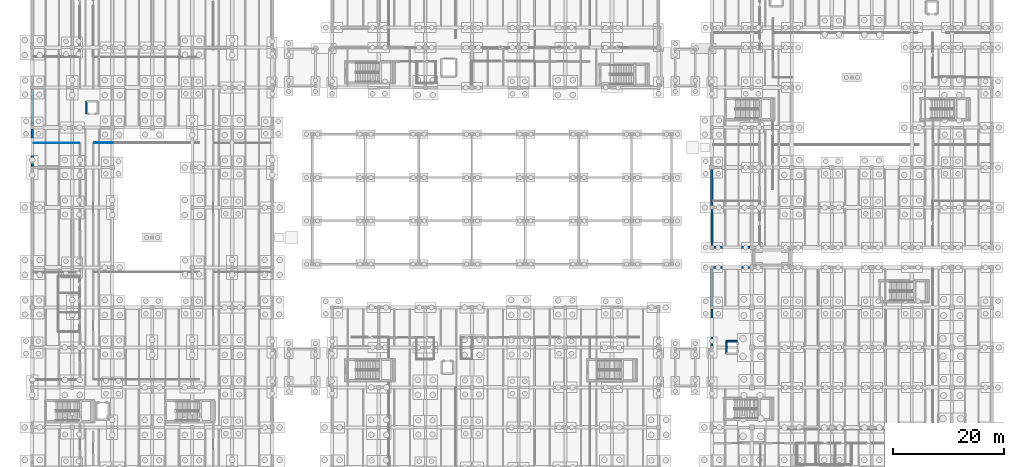
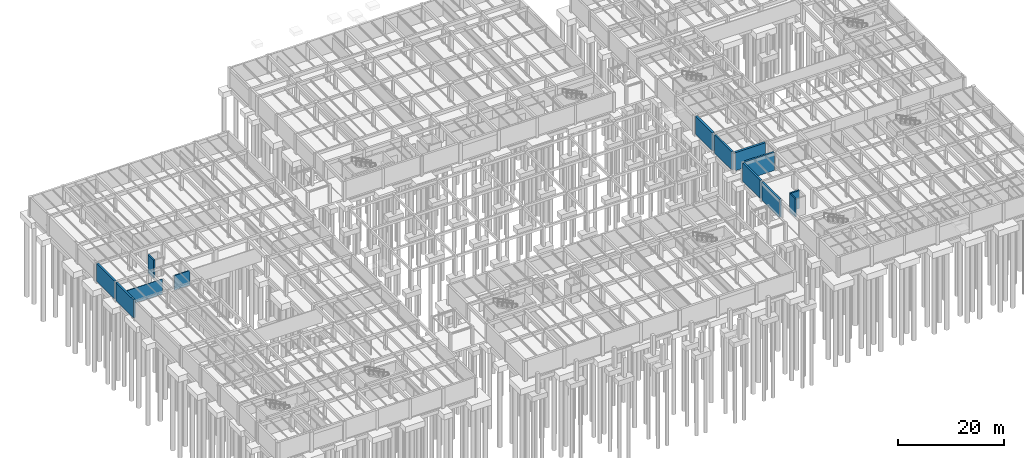
# One storey, part 43 of 63: 13 walls.
"""IFC4 building model written with IfcOpenShell, lengths in metres."""

import ifcopenshell
import ifcopenshell.guid

model = None  # the IFC model being written
_history = None  # IfcOwnerHistory: only IFC2X3 demands one
_inside = {}  # id of a spatial element -> (the spatial element, [elements in it])
_under = {}  # id of a project, library or spatial element -> (it, [spatial elements below it])
_declared = {}  # id of a project -> (the project, [libraries it declares])
_typed = {}  # id of a type object -> (the type object, [elements of that type])
_made_of = {}  # id of a material, layer set ... -> (it, [elements and type objects made of it])


def new_model(schema):
    """Start an empty IFC model of exactly this schema.

    Asked for "IFC4X3", IfcOpenShell would pick the latest addendum, in which some entities
    have other attributes; the version numbers below select the first issue.
    IFC2X3 requires an IfcOwnerHistory on every rooted entity: one is made here for all.
    """
    global model, _history
    if schema == "IFC4X3":
        model = ifcopenshell.file(schema_version=(4, 3, 0, 0))
    else:
        model = ifcopenshell.file(schema=schema)
    _inside.clear()
    _under.clear()
    _declared.clear()
    _typed.clear()
    _made_of.clear()
    _history = None
    if model.schema == "IFC2X3":
        org = make("IfcOrganization", Name="unknown")
        user = make(
            "IfcPersonAndOrganization",
            ThePerson=make("IfcPerson", FamilyName="unknown"),
            TheOrganization=org,
        )
        app = make(
            "IfcApplication",
            ApplicationDeveloper=org,
            Version="unknown",
            ApplicationFullName="unknown",
            ApplicationIdentifier="unknown",
        )
        _history = make(
            "IfcOwnerHistory",
            OwningUser=user,
            OwningApplication=app,
            ChangeAction="ADDED",
            CreationDate=0,
        )
    return model


def make(cls, **values):
    """One entity of the class cls with the attributes given. An attribute that is None is left unset."""
    return model.create_entity(
        cls, **{name: value for name, value in values.items() if value is not None}
    )


def rooted(cls, **values):
    """An entity with a GlobalId (a new one), such as an element, a storey or a relation."""
    return make(cls, GlobalId=ifcopenshell.guid.new(), OwnerHistory=_history, **values)


def si_unit(unit_type, name, prefix=None):
    """IfcSIUnit, for example si_unit("LENGTHUNIT", "METRE", prefix="MILLI")."""
    return make("IfcSIUnit", UnitType=unit_type, Prefix=prefix, Name=name)


def assignment(units):
    """IfcUnitAssignment: the units of a project."""
    return None if units is None else make("IfcUnitAssignment", Units=units)


def point(xyz):
    """IfcCartesianPoint."""
    return None if xyz is None else make("IfcCartesianPoint", Coordinates=xyz)


def direction(xyz):
    """IfcDirection."""
    return None if xyz is None else make("IfcDirection", DirectionRatios=xyz)


def frame(location, z_axis=None, x_axis=None):
    """IfcAxis2Placement3D, a coordinate frame: its origin and axes. An axis left out is left unset."""
    return make(
        "IfcAxis2Placement3D",
        Location=point(location),
        Axis=direction(z_axis),
        RefDirection=direction(x_axis),
    )


def frame_2d(location, x_axis=None):
    """IfcAxis2Placement2D, a coordinate frame in the plane: its origin and x axis."""
    return make(
        "IfcAxis2Placement2D", Location=point(location), RefDirection=direction(x_axis)
    )


def origin():
    """The frame at (0, 0, 0) with its axes left unset."""
    return frame((0.0, 0.0, 0.0))


def place(relative_to, where):
    """IfcLocalPlacement: puts the frame where relative to a parent placement (None: the world)."""
    return make(
        "IfcLocalPlacement", PlacementRelTo=relative_to, RelativePlacement=where
    )


def context(
    kind, dimensions, precision=None, world=None, true_north=None, identifier=None
):
    """IfcGeometricRepresentationContext, for example the 3D "Model" context."""
    return make(
        "IfcGeometricRepresentationContext",
        ContextIdentifier=identifier,
        ContextType=kind,
        CoordinateSpaceDimension=dimensions,
        Precision=precision,
        WorldCoordinateSystem=world,
        TrueNorth=true_north,
    )


def subcontext(parent, identifier, kind, view, scale=None):
    """IfcGeometricRepresentationSubContext, for example "Body" below "Model"."""
    return make(
        "IfcGeometricRepresentationSubContext",
        ContextIdentifier=identifier,
        ContextType=kind,
        ParentContext=parent,
        TargetScale=scale,
        TargetView=view,
    )


def project(units=None, contexts=None):
    """IfcProject with its units and contexts."""
    return rooted(
        "IfcProject",
        Name="project",
        RepresentationContexts=contexts,
        UnitsInContext=assignment(units),
    )


def spatial(cls, under=None, at=None, **own):
    """A site, building, storey or space (cls), placed at a placement, below another one or the project."""
    s = rooted(cls, ObjectPlacement=at, **own)
    if under is not None:
        _under.setdefault(under.id(), (under, []))[1].append(s)
    return s


def profile(cls, at=None, kind="AREA", **sizes):
    """A parametric profile (cls). Its sizes go by their IFC names, for example OverallWidth=200.0."""
    return make(cls, ProfileType=kind, Position=at, **sizes)


def rectangle(**sizes):
    """IfcRectangleProfileDef."""
    return profile("IfcRectangleProfileDef", **sizes)


def extrude(swept, where, along, depth):
    """IfcExtrudedAreaSolid: the profile swept, set in the frame where, extruded along a direction by depth."""
    return make(
        "IfcExtrudedAreaSolid",
        SweptArea=swept,
        Position=where,
        ExtrudedDirection=direction(along),
        Depth=depth,
    )


def shape(context_of_items, identifier, shape_type, items):
    """IfcShapeRepresentation: the items that make up one representation, for example the "Body"."""
    return make(
        "IfcShapeRepresentation",
        ContextOfItems=context_of_items,
        RepresentationIdentifier=identifier,
        RepresentationType=shape_type,
        Items=items,
    )


def material(Name=None, Category=None):
    """IfcMaterial."""
    return make("IfcMaterial", Name=Name, Category=Category)


def layer(
    of_material, thickness, ventilated=None, Name=None, Category=None, Priority=None
):
    """IfcMaterialLayer: one layer of a wall or slab, of a material (None: an air gap)."""
    return make(
        "IfcMaterialLayer",
        Material=of_material,
        LayerThickness=thickness,
        IsVentilated=ventilated,
        Name=Name,
        Category=Category,
        Priority=Priority,
    )


def layer_set(layers, Name=None):
    """IfcMaterialLayerSet."""
    return make("IfcMaterialLayerSet", MaterialLayers=layers, LayerSetName=Name)


def made_of(thing, what):
    """Note that an element or type object is made of a material, layer set ...; save() writes the relation."""
    if what is not None:
        _made_of.setdefault(what.id(), (what, []))[1].append(thing)
    return thing


def type_object(cls, material=None, **own):
    """A type object (cls), such as IfcWallType, which elements share."""
    return made_of(rooted(cls, **own), material)


def element(
    cls,
    number,
    at=None,
    inside=None,
    cuts=None,
    type_object=None,
    material=None,
    context=None,
    identifier="Body",
    shape_type=None,
    held_by="IfcProductDefinitionShape",
    body=None,
    shapes=None,
    **own,
):
    """One element of the class cls, such as IfcWall. Its Tag is "e" and its number.

    at: its placement. inside: the storey or other place that contains it. cuts: it is an
    opening in that element (IfcRelVoidsElement). A single representation is given by context,
    identifier, shape_type and body (its items); several are given by shapes. held_by: the class
    of the entity that holds the representations. save() writes the other relations.
    """
    e = rooted(cls, Tag="e%d" % number, ObjectPlacement=at, **own)
    if body is not None:
        shapes = [shape(context, identifier, shape_type, body)]
    if shapes is not None:
        e.Representation = make(held_by, Representations=shapes)
    if inside is not None:
        _inside.setdefault(inside.id(), (inside, []))[1].append(e)
    if cuts is not None:
        rooted(
            "IfcRelVoidsElement", RelatingBuildingElement=cuts, RelatedOpeningElement=e
        )
    if type_object is not None:
        _typed.setdefault(type_object.id(), (type_object, []))[1].append(e)
    return made_of(e, material)


def aggregate(whole, parts):
    """IfcRelAggregates: a whole, such as a stair, and the parts it consists of."""
    return rooted("IfcRelAggregates", RelatingObject=whole, RelatedObjects=parts)


def save(model, path):
    """Write the relations noted so far, then the file.

    IfcRelAggregates (storeys below a building ...), IfcRelContainedInSpatialStructure (elements
    in a storey), IfcRelDefinesByType, IfcRelAssociatesMaterial and IfcRelDeclares: one each for
    every whole, place, type object, material and project.
    """
    for whole, parts in _under.values():
        aggregate(whole, parts)
    for where, things in _inside.values():
        rooted(
            "IfcRelContainedInSpatialStructure",
            RelatedElements=things,
            RelatingStructure=where,
        )
    for kind, things in _typed.values():
        rooted("IfcRelDefinesByType", RelatedObjects=things, RelatingType=kind)
    for what, things in _made_of.values():
        rooted("IfcRelAssociatesMaterial", RelatedObjects=things, RelatingMaterial=what)
    for by, libraries in _declared.values():
        rooted("IfcRelDeclares", RelatingContext=by, RelatedDefinitions=libraries)
    model.write(path)


model = new_model("IFC4")

# Units and contexts
model_context = context("Model", 3, precision=1e-05, world=origin(), true_north=direction((0.0, 1.0)))
body_context = subcontext(model_context, "Body", "Model", "MODEL_VIEW")
ifc_project = project(units=[si_unit("LENGTHUNIT", "METRE"), si_unit("AREAUNIT", "SQUARE_METRE"), si_unit("VOLUMEUNIT", "CUBIC_METRE"), si_unit("PLANEANGLEUNIT", "RADIAN"), si_unit("MASSUNIT", "GRAM", prefix="KILO")], contexts=[model_context])

# Site, building, storey
site_placement = place(None, origin())
site = spatial("IfcSite", under=ifc_project, at=site_placement, CompositionType="ELEMENT")
building_placement = place(site_placement, origin())
building = spatial("IfcBuilding", under=site, at=building_placement, Name="Mazaris Harbour Polytechnic", CompositionType="ELEMENT")
storey_placement = place(building_placement, frame((0.0, 0.0, -4.5)))
storey = spatial("IfcBuildingStorey", under=building, at=storey_placement, Name="B1", CompositionType="ELEMENT", Elevation=-4.5)

# Walls
ifc_material_1 = material(Name="Gypsum Board and Mineral Wool")
ifc_layer_1 = layer(ifc_material_1, 0.1201171875, Name="Gypsum Board and Mineral Wool")
ifc_layer_set_1 = layer_set([ifc_layer_1], Name="Gypsum Board and Mineral Wool")
wall_type_1 = type_object("IfcWallType", Name="Acoustic Stud Partition 120", PredefinedType="PARTITIONING", material=ifc_layer_set_1)
wall_1_placement = place(storey_placement, frame((0.25, 65.625, 0.0), z_axis=(0.0, 0.0, 1.0), x_axis=(1.0, 0.0, 0.0)))
element("IfcWall", 1, at=wall_1_placement, inside=storey, type_object=wall_type_1, Name="V4 B1 Partition 258", PredefinedType="PARTITIONING", context=body_context, shape_type="SweptSolid", body=[
    extrude(rectangle(XDim=8.219970703125, YDim=0.1201171875, at=frame_2d((4.10986328125, 0.0))), origin(), (0.0, 0.0, 1.0), 3.47998046875),
])
ifc_material_2 = material(Name="Fireboard and Mineral Wool")
ifc_layer_2 = layer(ifc_material_2, 0.1650390625, Name="Fireboard and Mineral Wool")
ifc_layer_set_2 = layer_set([ifc_layer_2], Name="Fireboard and Mineral Wool")
wall_type_2 = type_object("IfcWallType", Name="Laboratory Rated Partition 165", PredefinedType="PARTITIONING", material=ifc_layer_set_2)
wall_2_placement = place(storey_placement, frame((11.1298828125, 65.625, 0.0), z_axis=(0.0, 0.0, 1.0), x_axis=(1.0, 0.0, 0.0)))
element("IfcWall", 2, at=wall_2_placement, inside=storey, type_object=wall_type_2, Name="V4 B1 Partition 267", PredefinedType="PARTITIONING", context=body_context, shape_type="SweptSolid", body=[
    extrude(rectangle(XDim=3.35009765625, YDim=0.1650390625, at=frame_2d((1.675048828125, 0.0))), origin(), (0.0, 0.0, 1.0), 3.3798828125),
])
ifc_material_3 = material(Name="Concrete C35/45", Category="concrete")
ifc_layer_3 = layer(ifc_material_3, 0.39990234375, Name="Concrete C35/45")
ifc_layer_set_3 = layer_set([ifc_layer_3], Name="Concrete C35/45")
wall_type_3 = type_object("IfcWallType", Name="RC Basement Retaining Wall 400", PredefinedType="USERDEFINED", material=ifc_layer_set_3)
wall_3_placement = place(storey_placement, frame((122.699951171875, 43.199951171875, 0.0), z_axis=(0.0, 0.0, 1.0), x_axis=(1.0, 0.0, 0.0)))
element("IfcWall", 3, at=wall_3_placement, inside=storey, type_object=wall_type_3, Name="V2 B1 Retaining Wall 34", ObjectType="RETAINING WALL", PredefinedType="USERDEFINED", context=body_context, shape_type="SweptSolid", body=[
    extrude(rectangle(XDim=6.47509765625, YDim=0.39990234375, at=frame_2d((3.237548828125, 0.0))), origin(), (0.0, 0.0, 1.0), 4.179931640625),
])
wall_4_placement = place(storey_placement, frame((122.39990234375, 29.050048828125, 0.0), z_axis=(0.0, 0.0, 1.0), x_axis=(0.0, 1.0, 0.0)))
element("IfcWall", 4, at=wall_4_placement, inside=storey, type_object=wall_type_3, Name="V2 B1 Retaining Wall 42", ObjectType="RETAINING WALL", PredefinedType="USERDEFINED", context=body_context, shape_type="SweptSolid", body=[
    extrude(rectangle(XDim=6.675048828125, YDim=0.39990234375, at=frame_2d((3.33740234375, 0.0))), origin(), (0.0, 0.0, 1.0), 4.179931640625),
])
wall_5_placement = place(storey_placement, frame((0.0, 61.425048828125, 0.0), z_axis=(0.0, 0.0, 1.0), x_axis=(0.0, 1.0, 0.0)))
element("IfcWall", 5, at=wall_5_placement, inside=storey, type_object=wall_type_3, Name="V4 B1 Retaining Wall 88", ObjectType="RETAINING WALL", PredefinedType="USERDEFINED", context=body_context, shape_type="SweptSolid", body=[
    extrude(rectangle(XDim=6.724853515625, YDim=0.39990234375, at=frame_2d((3.3623046875, 0.0))), origin(), (0.0, 0.0, 1.0), 4.179931640625),
])
wall_6_placement = place(storey_placement, frame((122.39990234375, 47.14990234375, 0.0), z_axis=(0.0, 0.0, 1.0), x_axis=(0.0, 1.0, 0.0)))
element("IfcWall", 6, at=wall_6_placement, inside=storey, type_object=wall_type_3, Name="V5 B1 Retaining Wall 116", ObjectType="RETAINING WALL", PredefinedType="USERDEFINED", context=body_context, shape_type="SweptSolid", body=[
    extrude(rectangle(XDim=6.47509765625, YDim=0.39990234375, at=frame_2d((3.237548828125, 0.0))), origin(), (0.0, 0.0, 1.0), 4.179931640625),
])
ifc_material_4 = material(Name="Concrete C35/45", Category="concrete")
ifc_layer_4 = layer(ifc_material_4, 0.449951171875, Name="Concrete C35/45")
ifc_layer_set_4 = layer_set([ifc_layer_4], Name="Concrete C35/45")
wall_type_4 = type_object("IfcWallType", Name="RC Basement Retaining Wall 450", PredefinedType="USERDEFINED", material=ifc_layer_set_4)
wall_7_placement = place(storey_placement, frame((122.39990234375, 36.27490234375, 0.0), z_axis=(0.0, 0.0, 1.0), x_axis=(0.0, 1.0, 0.0)))
element("IfcWall", 7, at=wall_7_placement, inside=storey, type_object=wall_type_4, Name="V2 B1 Retaining Wall 43", ObjectType="RETAINING WALL", PredefinedType="USERDEFINED", context=body_context, shape_type="SweptSolid", body=[
    extrude(rectangle(XDim=6.625, YDim=0.449951171875, at=frame_2d((3.3125, 0.0))), origin(), (0.0, 0.0, 1.0), 4.179931640625),
])
wall_8_placement = place(storey_placement, frame((0.0, 68.64990234375, 0.0), z_axis=(0.0, 0.0, 1.0), x_axis=(0.0, 1.0, 0.0)))
element("IfcWall", 8, at=wall_8_placement, inside=storey, type_object=wall_type_4, Name="V4 B1 Retaining Wall 89", ObjectType="RETAINING WALL", PredefinedType="USERDEFINED", context=body_context, shape_type="SweptSolid", body=[
    extrude(rectangle(XDim=6.675048828125, YDim=0.449951171875, at=frame_2d((3.33740234375, 0.0))), origin(), (0.0, 0.0, 1.0), 4.179931640625),
])
wall_9_placement = place(storey_placement, frame((122.75, 46.800048828125, 0.0), z_axis=(0.0, 0.0, 1.0), x_axis=(1.0, 0.0, 0.0)))
element("IfcWall", 9, at=wall_9_placement, inside=storey, type_object=wall_type_4, Name="V5 B1 Retaining Wall 103", ObjectType="RETAINING WALL", PredefinedType="USERDEFINED", context=body_context, shape_type="SweptSolid", body=[
    extrude(rectangle(XDim=6.5, YDim=0.449951171875, at=frame_2d((3.25, 0.0))), origin(), (0.0, 0.0, 1.0), 4.179931640625),
])
wall_10_placement = place(storey_placement, frame((122.39990234375, 54.375, 0.0), z_axis=(0.0, 0.0, 1.0), x_axis=(0.0, 1.0, 0.0)))
element("IfcWall", 10, at=wall_10_placement, inside=storey, type_object=wall_type_4, Name="V5 B1 Retaining Wall 117", ObjectType="RETAINING WALL", PredefinedType="USERDEFINED", context=body_context, shape_type="SweptSolid", body=[
    extrude(rectangle(XDim=6.425048828125, YDim=0.449951171875, at=frame_2d((3.21240234375, 0.0))), origin(), (0.0, 0.0, 1.0), 4.179931640625),
])
ifc_material_5 = material(Name="Concrete C40/50", Category="concrete")
ifc_layer_5 = layer(ifc_material_5, 0.300048828125, Name="Concrete C40/50")
ifc_layer_set_5 = layer_set([ifc_layer_5], Name="Concrete C40/50")
wall_type_5 = type_object("IfcWallType", Name="RC Lift Shaft Wall 300", PredefinedType="SHEAR", material=ifc_layer_set_5)
wall_11_placement = place(storey_placement, frame((9.800048828125, 73.10009765625, 0.0), z_axis=(0.0, 0.0, 1.0), x_axis=(0.0, -1.0, 0.0)))
element("IfcWall", 11, at=wall_11_placement, inside=storey, type_object=wall_type_5, Name="Lift LP-01 B1 West Shaft Wall", PredefinedType="SHEAR", context=body_context, shape_type="SweptSolid", body=[
    extrude(rectangle(XDim=2.2001953125, YDim=0.300048828125, at=frame_2d((1.10009765625, 0.0))), origin(), (0.0, 0.0, 1.0), 4.179931640625),
])
wall_12_placement = place(storey_placement, frame((127.0, 29.89990234375, 0.0), z_axis=(0.0, 0.0, 1.0), x_axis=(-1.0, 0.0, 0.0)))
element("IfcWall", 12, at=wall_12_placement, inside=storey, type_object=wall_type_5, Name="Lift LP-02 B1 North Shaft Wall", PredefinedType="SHEAR", context=body_context, shape_type="SweptSolid", body=[
    extrude(rectangle(XDim=2.0, YDim=0.300048828125, at=frame_2d((1.0, 0.0))), origin(), (0.0, 0.0, 1.0), 4.179931640625),
])
wall_13_placement = place(storey_placement, frame((125.0, 29.89990234375, 0.0), z_axis=(0.0, 0.0, 1.0), x_axis=(0.0, -1.0, 0.0)))
element("IfcWall", 13, at=wall_13_placement, inside=storey, type_object=wall_type_5, Name="Lift LP-02 B1 West Shaft Wall", PredefinedType="SHEAR", context=body_context, shape_type="SweptSolid", body=[
    extrude(rectangle(XDim=2.199951171875, YDim=0.300048828125, at=frame_2d((1.10009765625, 0.0))), origin(), (0.0, 0.0, 1.0), 4.179931640625),
])

save(model, "model.ifc")
